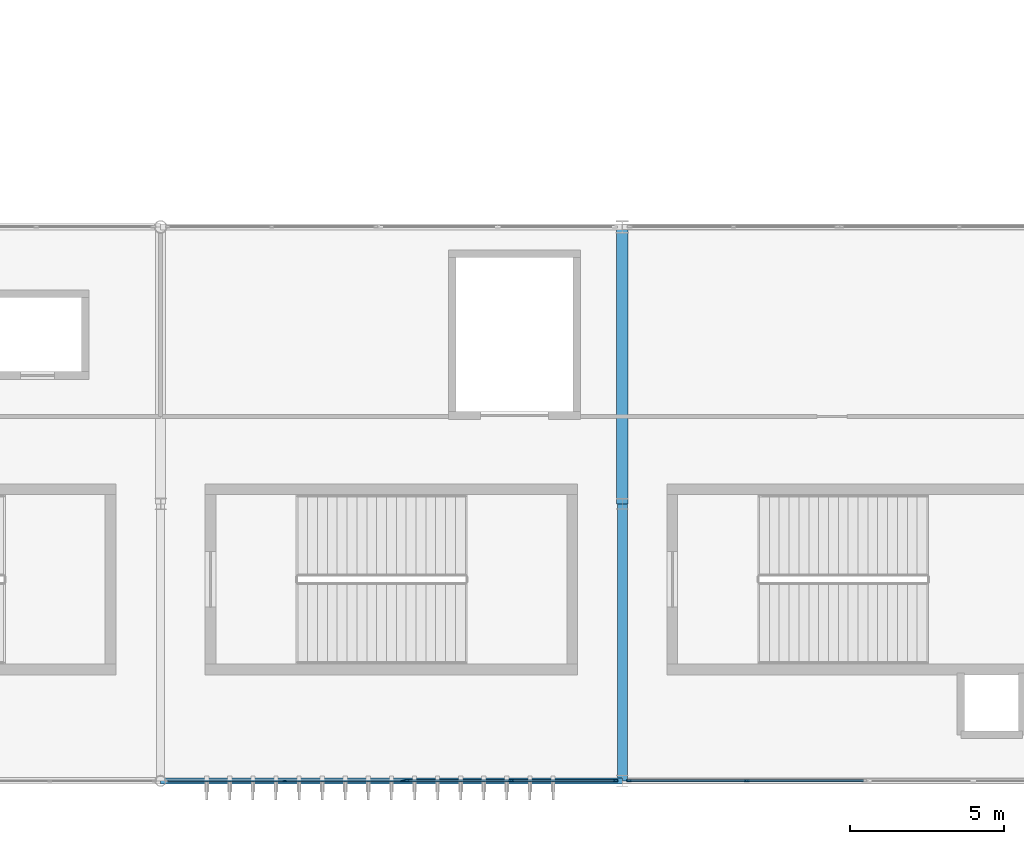
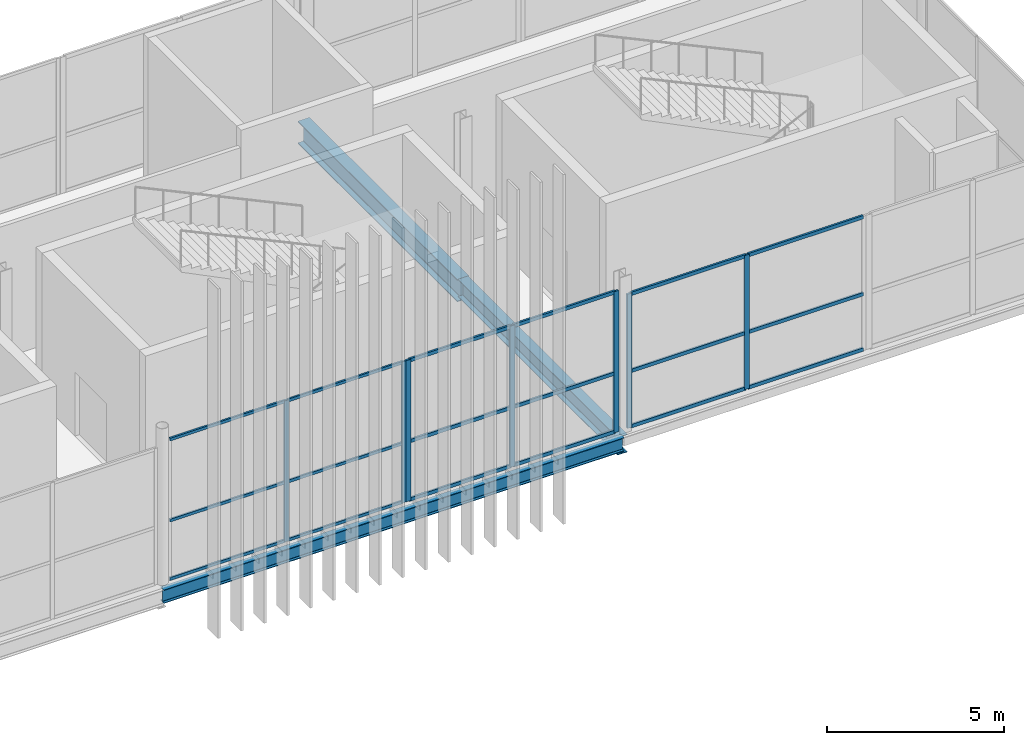
# One storey, part 27 of 119: 25 members, 3 beams, 3 elements without a shape of their own.
"""IFC4 building model written with IfcOpenShell, lengths in metres."""

from ifc_helpers import new_model, si_unit, direction, frame, origin, origin_2d, place, context, subcontext, project, spatial, rectangle, i_section, extrude, material, layer, layer_set, material_profile, profile_set, type_object, element, aggregate, save


model = new_model("IFC4")

# Units and contexts
model_context = context("Model", 3, precision=1e-05, world=origin(), true_north=direction((0.0, 1.0)))
body_context = subcontext(model_context, "Body", "Model", "MODEL_VIEW")
ifc_project = project(units=[si_unit("LENGTHUNIT", "METRE"), si_unit("AREAUNIT", "SQUARE_METRE"), si_unit("VOLUMEUNIT", "CUBIC_METRE"), si_unit("PLANEANGLEUNIT", "RADIAN"), si_unit("MASSUNIT", "GRAM", prefix="KILO")], contexts=[model_context])

# Site, building, storey
site_placement = place(None, origin())
site = spatial("IfcSite", under=ifc_project, at=site_placement, CompositionType="ELEMENT")
building_placement = place(site_placement, origin())
building = spatial("IfcBuilding", under=site, at=building_placement, Name="Qamarlyn Nura Convention Centre", CompositionType="ELEMENT")
storey_placement = place(building_placement, frame((0.0, 0.0, 5.39990234375)))
storey = spatial("IfcBuildingStorey", under=building, at=storey_placement, Name="L01", CompositionType="ELEMENT", Elevation=5.39990234375)

# Beams
ifc_material_1 = material(Name="Steel ASTM A992", Category="steel")
ifc_material_profile_1 = material_profile(ifc_material_1, i_section(OverallWidth=0.323974609375, OverallDepth=0.611083984375, WebThickness=0.0126953125, FlangeThickness=0.01904296875, FilletRadius=0.01611328125, at=origin_2d()), Name="W610X155")
ifc_profile_set_1 = profile_set([ifc_material_profile_1], Name="Steel ASTM A992")
beam_type_1 = type_object("IfcBeamType", Name="BM-GIRD-610", PredefinedType="BEAM", material=ifc_profile_set_1)
beam_1_placement = place(storey_placement, frame((105.0, 0.0, -0.525390625), z_axis=(0.0, 1.0, 0.0), x_axis=(-1.0, 0.0, 0.0)))
element("IfcBeam", 1, at=beam_1_placement, inside=storey, type_object=beam_type_1, Name="L01 girder 8 A-B", PredefinedType="BEAM", context=body_context, shape_type="SweptSolid", body=[
    extrude(i_section(OverallWidth=0.323974609375, OverallDepth=0.611083984375, WebThickness=0.0126953125, FlangeThickness=0.01904296875, FilletRadius=0.01611328125, at=origin_2d()), origin(), (0.0, 0.0, 1.0), 9.0),
])
ifc_material_profile_2 = material_profile(ifc_material_1, i_section(OverallWidth=0.381103515625, OverallDepth=0.77294921875, WebThickness=0.0166015625, FlangeThickness=0.027587890625, FilletRadius=0.02001953125, at=origin_2d()), Name="W760X257")
ifc_profile_set_2 = profile_set([ifc_material_profile_2], Name="Steel ASTM A992")
beam_type_2 = type_object("IfcBeamType", Name="BM-GIRD-760", PredefinedType="BEAM", material=ifc_profile_set_2)
beam_2_placement = place(storey_placement, frame((105.0, 9.0, -0.6064453125), z_axis=(0.0, 1.0, 0.0), x_axis=(-1.0, 0.0, 0.0)))
element("IfcBeam", 2, at=beam_2_placement, inside=storey, type_object=beam_type_2, Name="L01 girder 8 B-C", PredefinedType="BEAM", context=body_context, shape_type="SweptSolid", body=[
    extrude(i_section(OverallWidth=0.381103515625, OverallDepth=0.77294921875, WebThickness=0.0166015625, FlangeThickness=0.027587890625, FilletRadius=0.02001953125, at=origin_2d()), origin(), (0.0, 0.0, 1.0), 9.0),
])
ifc_material_profile_3 = material_profile(ifc_material_1, i_section(OverallWidth=0.193115234375, OverallDepth=0.466064453125, WebThickness=0.011474609375, FlangeThickness=0.01904296875, FilletRadius=0.012939453125, at=origin_2d()), Name="W460X97")
ifc_profile_set_3 = profile_set([ifc_material_profile_3], Name="Steel ASTM A992")
beam_type_3 = type_object("IfcBeamType", Name="BM-SPAN-460", PredefinedType="SPANDREL", material=ifc_profile_set_3)
beam_3_placement = place(storey_placement, frame((90.0, 0.0, -0.452880859375), z_axis=(1.0, 0.0, 0.0), x_axis=(0.0, 1.0, 0.0)))
element("IfcBeam", 3, at=beam_3_placement, inside=storey, type_object=beam_type_3, Name="L01 girder A 7-8", PredefinedType="SPANDREL", context=body_context, shape_type="SweptSolid", body=[
    extrude(i_section(OverallWidth=0.193115234375, OverallDepth=0.466064453125, WebThickness=0.011474609375, FlangeThickness=0.01904296875, FilletRadius=0.012939453125, at=origin_2d()), origin(), (0.0, 0.0, 1.0), 15.0),
])

# Curtain wall, members
ifc_material_2 = material(Name="Double-silver low-E insulated glass", Category="glass")
ifc_layer_1 = layer(ifc_material_2, 0.179931640625, Name="CW-UNIT-14")
ifc_layer_set_1 = layer_set([ifc_layer_1], Name="Double-silver low-E insulated glass")
curtain_wall_type_1 = type_object("IfcCurtainWallType", Name="CW-UNIT-14", PredefinedType="NOTDEFINED", material=ifc_layer_set_1)
curtain_wall_1_placement = place(storey_placement, origin())
curtain_wall_1 = element("IfcCurtainWall", 4, at=curtain_wall_1_placement, inside=storey, type_object=curtain_wall_type_1, Name="L01 unitised curtain wall SF-S3-1B", PredefinedType="NOTDEFINED")
ifc_material_3 = material(Name="Champagne-anodised marine aluminium", Category="aluminium")
ifc_material_profile_4 = material_profile(ifc_material_3, rectangle(XDim=0.06005859375, YDim=0.139892578125, at=origin_2d()), Name="ALU MULLION 60x140")
ifc_profile_set_4 = profile_set([ifc_material_profile_4], Name="Champagne-anodised marine aluminium")
member_type_1 = type_object("IfcMemberType", Name="CWM-140", PredefinedType="MULLION", material=ifc_profile_set_4)
member_1_placement = place(storey_placement, frame((97.864501953125, 0.0, 0.0), z_axis=(0.0, 0.0, 1.0), x_axis=(0.0, -1.0, 0.0)))
member_1 = element("IfcMember", 5, at=member_1_placement, type_object=member_type_1, Name="CW14 mullion 1", PredefinedType="MULLION", context=body_context, shape_type="SweptSolid", body=[
    extrude(rectangle(XDim=0.06005859375, YDim=0.139892578125, at=origin_2d()), origin(), (0.0, 0.0, 1.0), 4.864990234375),
])
member_2_placement = place(storey_placement, frame((94.0361328125, 0.0, 0.0), z_axis=(0.0, 0.0, 1.0), x_axis=(0.0, -1.0, 0.0)))
member_2 = element("IfcMember", 6, at=member_2_placement, type_object=member_type_1, Name="CW14 mullion 2", PredefinedType="MULLION", context=body_context, shape_type="SweptSolid", body=[
    extrude(rectangle(XDim=0.06005859375, YDim=0.139892578125, at=origin_2d()), origin(), (0.0, 0.0, 1.0), 4.864990234375),
])

ifc_layer_2 = layer(ifc_material_2, 0.179931640625, Name="CW-UNIT-13")
ifc_layer_set_2 = layer_set([ifc_layer_2], Name="Double-silver low-E insulated glass")
curtain_wall_type_2 = type_object("IfcCurtainWallType", Name="CW-UNIT-13", PredefinedType="NOTDEFINED", material=ifc_layer_set_2)
curtain_wall_2_placement = place(storey_placement, origin())
curtain_wall_2 = element("IfcCurtainWall", 7, at=curtain_wall_2_placement, inside=storey, type_object=curtain_wall_type_2, Name="L01 unitised curtain wall SF-S3-1A", PredefinedType="NOTDEFINED")
ifc_material_profile_5 = material_profile(ifc_material_3, rectangle(XDim=0.06494140625, YDim=0.159912109375, at=origin_2d()), Name="ALU MULLION 65x160")
ifc_profile_set_5 = profile_set([ifc_material_profile_5], Name="Champagne-anodised marine aluminium")
member_type_2 = type_object("IfcMemberType", Name="CWM-160", PredefinedType="MULLION", material=ifc_profile_set_5)
member_3_placement = place(storey_placement, frame((104.780517578125, 0.0, 0.0), z_axis=(0.0, 0.0, 1.0), x_axis=(0.0, -1.0, 0.0)))
member_3 = element("IfcMember", 8, at=member_3_placement, type_object=member_type_2, Name="CW13 mullion 1", PredefinedType="MULLION", context=body_context, shape_type="SweptSolid", body=[
    extrude(rectangle(XDim=0.06494140625, YDim=0.159912109375, at=origin_2d()), origin(), (0.0, 0.0, 1.0), 4.864990234375),
])
member_4_placement = place(storey_placement, frame((101.393798828125, 0.0, 0.0), z_axis=(0.0, 0.0, 1.0), x_axis=(0.0, -1.0, 0.0)))
member_4 = element("IfcMember", 9, at=member_4_placement, type_object=member_type_2, Name="CW13 mullion 2", PredefinedType="MULLION", context=body_context, shape_type="SweptSolid", body=[
    extrude(rectangle(XDim=0.06494140625, YDim=0.159912109375, at=origin_2d()), origin(), (0.0, 0.0, 1.0), 4.864990234375),
])
member_5_placement = place(storey_placement, frame((98.007080078125, 0.0, 0.0), z_axis=(0.0, 0.0, 1.0), x_axis=(0.0, -1.0, 0.0)))
member_5 = element("IfcMember", 10, at=member_5_placement, type_object=member_type_2, Name="CW13 mullion 3", PredefinedType="MULLION", context=body_context, shape_type="SweptSolid", body=[
    extrude(rectangle(XDim=0.06494140625, YDim=0.159912109375, at=origin_2d()), origin(), (0.0, 0.0, 1.0), 4.864990234375),
])

ifc_layer_3 = layer(ifc_material_2, 0.179931640625, Name="CW-UNIT-10")
ifc_layer_set_3 = layer_set([ifc_layer_3], Name="Double-silver low-E insulated glass")
curtain_wall_type_3 = type_object("IfcCurtainWallType", Name="CW-UNIT-10", PredefinedType="NOTDEFINED", material=ifc_layer_set_3)
curtain_wall_3_placement = place(storey_placement, origin())
curtain_wall_3 = element("IfcCurtainWall", 11, at=curtain_wall_3_placement, inside=storey, type_object=curtain_wall_type_3, Name="L01 unitised curtain wall SF-S4-1B", PredefinedType="NOTDEFINED")
member_6_placement = place(storey_placement, frame((109.04345703125, 0.0, 0.0), z_axis=(0.0, 0.0, 1.0), x_axis=(0.0, -1.0, 0.0)))
member_6 = element("IfcMember", 12, at=member_6_placement, type_object=member_type_2, Name="CW10 mullion 2", PredefinedType="MULLION", context=body_context, shape_type="SweptSolid", body=[
    extrude(rectangle(XDim=0.06494140625, YDim=0.159912109375, at=origin_2d()), origin(), (0.0, 0.0, 1.0), 4.6259765625),
])
member_7_placement = place(storey_placement, frame((105.219482421875, 0.0, 0.0), z_axis=(0.0, 0.0, 1.0), x_axis=(0.0, -1.0, 0.0)))
member_7 = element("IfcMember", 13, at=member_7_placement, type_object=member_type_2, Name="CW10 mullion 3", PredefinedType="MULLION", context=body_context, shape_type="SweptSolid", body=[
    extrude(rectangle(XDim=0.06494140625, YDim=0.159912109375, at=origin_2d()), origin(), (0.0, 0.0, 1.0), 4.6259765625),
])

# Member
ifc_material_profile_6 = material_profile(ifc_material_3, rectangle(XDim=0.06005859375, YDim=0.10009765625, at=origin_2d()), Name="ALU TRANSOM 60x100")
ifc_profile_set_6 = profile_set([ifc_material_profile_6], Name="Champagne-anodised marine aluminium")
member_type_3 = type_object("IfcMemberType", Name="CWT-100", PredefinedType="USERDEFINED", material=ifc_profile_set_6)
member_8_placement = place(storey_placement, frame((97.83447265625, 0.0, 0.030029296875), z_axis=(-1.0, 0.0, 0.0), x_axis=(0.0, -1.0, 0.0)))
member_8 = element("IfcMember", 14, at=member_8_placement, type_object=member_type_3, Name="CW14 transom 1.1", ObjectType="TRANSOM", PredefinedType="USERDEFINED", context=body_context, shape_type="SweptSolid", body=[
    extrude(rectangle(XDim=0.06005859375, YDim=0.10009765625, at=origin_2d()), origin(), (0.0, 0.0, 1.0), 3.768310546875),
])

member_9_placement = place(storey_placement, frame((97.83447265625, 0.0, 2.043212890625), z_axis=(-1.0, 0.0, 0.0), x_axis=(0.0, -1.0, 0.0)))
member_9 = element("IfcMember", 15, at=member_9_placement, type_object=member_type_3, Name="CW14 transom 1.2", ObjectType="TRANSOM", PredefinedType="USERDEFINED", context=body_context, shape_type="SweptSolid", body=[
    extrude(rectangle(XDim=0.06005859375, YDim=0.10009765625, at=origin_2d()), origin(), (0.0, 0.0, 1.0), 3.768310546875),
])

member_10_placement = place(storey_placement, frame((97.83447265625, 0.0, 4.835205078125), z_axis=(-1.0, 0.0, 0.0), x_axis=(0.0, -1.0, 0.0)))
member_10 = element("IfcMember", 16, at=member_10_placement, type_object=member_type_3, Name="CW14 transom 1.3", ObjectType="TRANSOM", PredefinedType="USERDEFINED", context=body_context, shape_type="SweptSolid", body=[
    extrude(rectangle(XDim=0.06005859375, YDim=0.10009765625, at=origin_2d()), origin(), (0.0, 0.0, 1.0), 3.768310546875),
])

member_11_placement = place(storey_placement, frame((94.006103515625, 0.0, 0.030029296875), z_axis=(-1.0, 0.0, 0.0), x_axis=(0.0, -1.0, 0.0)))
member_11 = element("IfcMember", 17, at=member_11_placement, type_object=member_type_3, Name="CW14 transom 2.1", ObjectType="TRANSOM", PredefinedType="USERDEFINED", context=body_context, shape_type="SweptSolid", body=[
    extrude(rectangle(XDim=0.06005859375, YDim=0.10009765625, at=origin_2d()), origin(), (0.0, 0.0, 1.0), 3.768310546875),
])

member_12_placement = place(storey_placement, frame((94.006103515625, 0.0, 2.043212890625), z_axis=(-1.0, 0.0, 0.0), x_axis=(0.0, -1.0, 0.0)))
member_12 = element("IfcMember", 18, at=member_12_placement, type_object=member_type_3, Name="CW14 transom 2.2", ObjectType="TRANSOM", PredefinedType="USERDEFINED", context=body_context, shape_type="SweptSolid", body=[
    extrude(rectangle(XDim=0.06005859375, YDim=0.10009765625, at=origin_2d()), origin(), (0.0, 0.0, 1.0), 3.768310546875),
])

member_13_placement = place(storey_placement, frame((94.006103515625, 0.0, 4.835205078125), z_axis=(-1.0, 0.0, 0.0), x_axis=(0.0, -1.0, 0.0)))
member_13 = element("IfcMember", 19, at=member_13_placement, type_object=member_type_3, Name="CW14 transom 2.3", ObjectType="TRANSOM", PredefinedType="USERDEFINED", context=body_context, shape_type="SweptSolid", body=[
    extrude(rectangle(XDim=0.06005859375, YDim=0.10009765625, at=origin_2d()), origin(), (0.0, 0.0, 1.0), 3.768310546875),
])

aggregate(curtain_wall_1, [member_1, member_2, member_8, member_9, member_10, member_11, member_12, member_13])

ifc_material_profile_7 = material_profile(ifc_material_3, rectangle(XDim=0.06494140625, YDim=0.1201171875, at=origin_2d()), Name="ALU TRANSOM 65x120")
ifc_profile_set_7 = profile_set([ifc_material_profile_7], Name="Champagne-anodised marine aluminium")
member_type_4 = type_object("IfcMemberType", Name="CWT-120", PredefinedType="USERDEFINED", material=ifc_profile_set_7)
member_14_placement = place(storey_placement, frame((104.748046875, 0.0, 0.03271484375), z_axis=(-1.0, 0.0, 0.0), x_axis=(0.0, -1.0, 0.0)))
member_14 = element("IfcMember", 20, at=member_14_placement, type_object=member_type_4, Name="CW13 transom 1.1", ObjectType="TRANSOM", PredefinedType="USERDEFINED", context=body_context, shape_type="SweptSolid", body=[
    extrude(rectangle(XDim=0.06494140625, YDim=0.1201171875, at=origin_2d()), origin(), (0.0, 0.0, 1.0), 3.32177734375),
])

member_15_placement = place(storey_placement, frame((104.748046875, 0.0, 2.043212890625), z_axis=(-1.0, 0.0, 0.0), x_axis=(0.0, -1.0, 0.0)))
member_15 = element("IfcMember", 21, at=member_15_placement, type_object=member_type_4, Name="CW13 transom 1.2", ObjectType="TRANSOM", PredefinedType="USERDEFINED", context=body_context, shape_type="SweptSolid", body=[
    extrude(rectangle(XDim=0.06494140625, YDim=0.1201171875, at=origin_2d()), origin(), (0.0, 0.0, 1.0), 3.32177734375),
])

member_16_placement = place(storey_placement, frame((104.748046875, 0.0, 4.83251953125), z_axis=(-1.0, 0.0, 0.0), x_axis=(0.0, -1.0, 0.0)))
member_16 = element("IfcMember", 22, at=member_16_placement, type_object=member_type_4, Name="CW13 transom 1.3", ObjectType="TRANSOM", PredefinedType="USERDEFINED", context=body_context, shape_type="SweptSolid", body=[
    extrude(rectangle(XDim=0.06494140625, YDim=0.1201171875, at=origin_2d()), origin(), (0.0, 0.0, 1.0), 3.32177734375),
])

member_17_placement = place(storey_placement, frame((101.361328125, 0.0, 0.03271484375), z_axis=(-1.0, 0.0, 0.0), x_axis=(0.0, -1.0, 0.0)))
member_17 = element("IfcMember", 23, at=member_17_placement, type_object=member_type_4, Name="CW13 transom 2.1", ObjectType="TRANSOM", PredefinedType="USERDEFINED", context=body_context, shape_type="SweptSolid", body=[
    extrude(rectangle(XDim=0.06494140625, YDim=0.1201171875, at=origin_2d()), origin(), (0.0, 0.0, 1.0), 3.32177734375),
])

member_18_placement = place(storey_placement, frame((101.361328125, 0.0, 2.043212890625), z_axis=(-1.0, 0.0, 0.0), x_axis=(0.0, -1.0, 0.0)))
member_18 = element("IfcMember", 24, at=member_18_placement, type_object=member_type_4, Name="CW13 transom 2.2", ObjectType="TRANSOM", PredefinedType="USERDEFINED", context=body_context, shape_type="SweptSolid", body=[
    extrude(rectangle(XDim=0.06494140625, YDim=0.1201171875, at=origin_2d()), origin(), (0.0, 0.0, 1.0), 3.32177734375),
])

member_19_placement = place(storey_placement, frame((101.361328125, 0.0, 4.83251953125), z_axis=(-1.0, 0.0, 0.0), x_axis=(0.0, -1.0, 0.0)))
member_19 = element("IfcMember", 25, at=member_19_placement, type_object=member_type_4, Name="CW13 transom 2.3", ObjectType="TRANSOM", PredefinedType="USERDEFINED", context=body_context, shape_type="SweptSolid", body=[
    extrude(rectangle(XDim=0.06494140625, YDim=0.1201171875, at=origin_2d()), origin(), (0.0, 0.0, 1.0), 3.32177734375),
])

aggregate(curtain_wall_2, [member_3, member_4, member_5, member_14, member_15, member_16, member_17, member_18, member_19])

member_20_placement = place(storey_placement, frame((112.835205078125, 0.0, 0.03271484375), z_axis=(-1.0, 0.0, 0.0), x_axis=(0.0, -1.0, 0.0)))
member_20 = element("IfcMember", 26, at=member_20_placement, type_object=member_type_4, Name="CW10 transom 1.1", ObjectType="TRANSOM", PredefinedType="USERDEFINED", context=body_context, shape_type="SweptSolid", body=[
    extrude(rectangle(XDim=0.06494140625, YDim=0.1201171875, at=origin_2d()), origin(), (0.0, 0.0, 1.0), 3.759033203125),
])

member_21_placement = place(storey_placement, frame((112.835205078125, 0.0, 1.943115234375), z_axis=(-1.0, 0.0, 0.0), x_axis=(0.0, -1.0, 0.0)))
member_21 = element("IfcMember", 27, at=member_21_placement, type_object=member_type_4, Name="CW10 transom 1.2", ObjectType="TRANSOM", PredefinedType="USERDEFINED", context=body_context, shape_type="SweptSolid", body=[
    extrude(rectangle(XDim=0.06494140625, YDim=0.1201171875, at=origin_2d()), origin(), (0.0, 0.0, 1.0), 3.759033203125),
])

member_22_placement = place(storey_placement, frame((112.835205078125, 0.0, 4.593505859375), z_axis=(-1.0, 0.0, 0.0), x_axis=(0.0, -1.0, 0.0)))
member_22 = element("IfcMember", 28, at=member_22_placement, type_object=member_type_4, Name="CW10 transom 1.3", ObjectType="TRANSOM", PredefinedType="USERDEFINED", context=body_context, shape_type="SweptSolid", body=[
    extrude(rectangle(XDim=0.06494140625, YDim=0.1201171875, at=origin_2d()), origin(), (0.0, 0.0, 1.0), 3.759033203125),
])

member_23_placement = place(storey_placement, frame((109.010986328125, 0.0, 0.03271484375), z_axis=(-1.0, 0.0, 0.0), x_axis=(0.0, -1.0, 0.0)))
member_23 = element("IfcMember", 29, at=member_23_placement, type_object=member_type_4, Name="CW10 transom 2.1", ObjectType="TRANSOM", PredefinedType="USERDEFINED", context=body_context, shape_type="SweptSolid", body=[
    extrude(rectangle(XDim=0.06494140625, YDim=0.1201171875, at=origin_2d()), origin(), (0.0, 0.0, 1.0), 3.759033203125),
])

member_24_placement = place(storey_placement, frame((109.010986328125, 0.0, 1.943115234375), z_axis=(-1.0, 0.0, 0.0), x_axis=(0.0, -1.0, 0.0)))
member_24 = element("IfcMember", 30, at=member_24_placement, type_object=member_type_4, Name="CW10 transom 2.2", ObjectType="TRANSOM", PredefinedType="USERDEFINED", context=body_context, shape_type="SweptSolid", body=[
    extrude(rectangle(XDim=0.06494140625, YDim=0.1201171875, at=origin_2d()), origin(), (0.0, 0.0, 1.0), 3.759033203125),
])

member_25_placement = place(storey_placement, frame((109.010986328125, 0.0, 4.593505859375), z_axis=(-1.0, 0.0, 0.0), x_axis=(0.0, -1.0, 0.0)))
member_25 = element("IfcMember", 31, at=member_25_placement, type_object=member_type_4, Name="CW10 transom 2.3", ObjectType="TRANSOM", PredefinedType="USERDEFINED", context=body_context, shape_type="SweptSolid", body=[
    extrude(rectangle(XDim=0.06494140625, YDim=0.1201171875, at=origin_2d()), origin(), (0.0, 0.0, 1.0), 3.759033203125),
])

aggregate(curtain_wall_3, [member_6, member_7, member_20, member_21, member_22, member_23, member_24, member_25])

save(model, "model.ifc")
